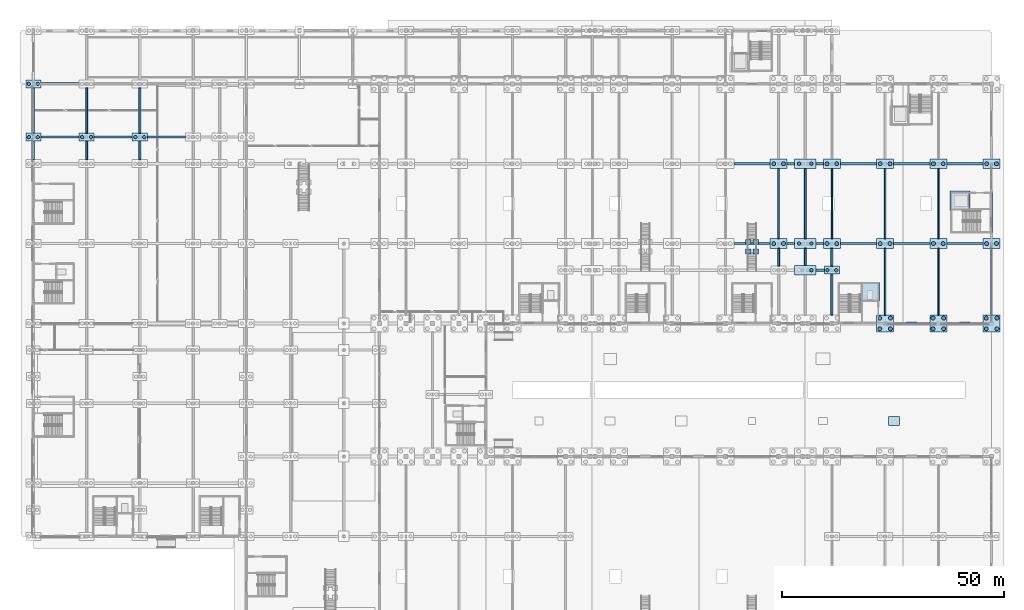
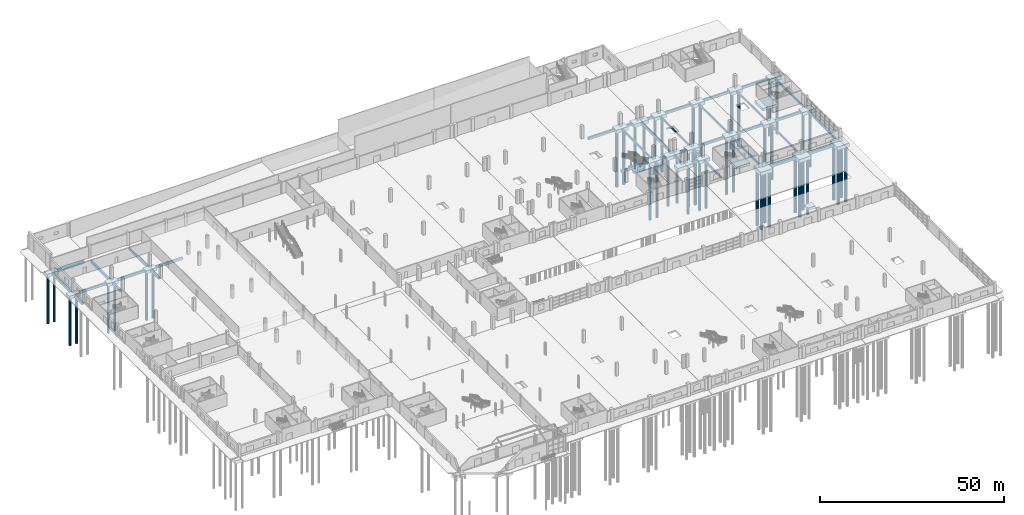
# One storey, part 7 of 77: 66 footings, 47 piles.
"""IFC4 building model written with IfcOpenShell, lengths in metres."""

from ifc_helpers import new_model, si_unit, direction, frame, origin, origin_2d, place, context, subcontext, project, spatial, rectangle, circle, extrude, material, material_profile, profile_set, type_object, element, save


model = new_model("IFC4")

# Units and contexts
model_context = context("Model", 3, precision=1e-05, world=origin(), true_north=direction((0.0, 1.0)))
body_context = subcontext(model_context, "Body", "Model", "MODEL_VIEW")
ifc_project = project(units=[si_unit("LENGTHUNIT", "METRE"), si_unit("AREAUNIT", "SQUARE_METRE"), si_unit("VOLUMEUNIT", "CUBIC_METRE"), si_unit("PLANEANGLEUNIT", "RADIAN"), si_unit("MASSUNIT", "GRAM", prefix="KILO")], contexts=[model_context])

# Site, building, storey
site_placement = place(None, origin())
site = spatial("IfcSite", under=ifc_project, at=site_placement, CompositionType="ELEMENT")
building_placement = place(site_placement, origin())
building = spatial("IfcBuilding", under=site, at=building_placement, Name="Zilviju Railside Exhibition Hall", CompositionType="ELEMENT")
storey_placement = place(building_placement, origin())
storey = spatial("IfcBuildingStorey", under=building, at=storey_placement, Name="L01", CompositionType="ELEMENT", Elevation=0.0)

# Footings
ifc_material_1 = material(Name="Concrete C35/45", Category="concrete")
footing_type_1 = type_object("IfcFootingType", Name="CAP-PC-01", PredefinedType="PILE_CAP", material=ifc_material_1)
for number, where, z_axis, x_axis, name in (
    (1, (192.0, 84.0, -1.60009765625), (0.0, 0.0, 1.0), (1.0, 0.0, 0.0), "Pile Cap FND-CAP-130"),
    (2, (204.0, 84.0, -1.60009765625), (0.0, 0.0, 1.0), (1.0, 0.0, 0.0), "Pile Cap FND-CAP-131"),
    (3, (216.0, 84.0, -1.60009765625), (0.0, 0.0, 1.0), (1.0, 0.0, 0.0), "Pile Cap FND-CAP-132"),
):
    element("IfcFooting", number, at=place(storey_placement, frame(where, z_axis=z_axis, x_axis=x_axis)), inside=storey, type_object=footing_type_1, Name=name, PredefinedType="PILE_CAP", context=body_context, shape_type="SweptSolid", body=[
        extrude(rectangle(XDim=3.800048828125, YDim=3.800048828125, at=origin_2d()), origin(), (0.0, 0.0, 1.0), 1.199951171875),
    ])
footing_type_2 = type_object("IfcFootingType", Name="CAP-PC-02", PredefinedType="PILE_CAP", material=ifc_material_1)
for number, where, z_axis, x_axis, name in (
    (4, (168.0, 102.0, -1.550048828125), (0.0, 0.0, 1.0), (1.0, 0.0, 0.0), "Pile Cap FND-CAP-158"),
    (5, (180.0, 102.0, -1.550048828125), (0.0, 0.0, 1.0), (1.0, 0.0, 0.0), "Pile Cap FND-CAP-160"),
    (6, (192.0, 102.0, -1.550048828125), (0.0, 0.0, 1.0), (1.0, 0.0, 0.0), "Pile Cap FND-CAP-161"),
    (7, (204.0, 102.0, -1.550048828125), (0.0, 0.0, 1.0), (1.0, 0.0, 0.0), "Pile Cap FND-CAP-162"),
    (8, (216.0, 102.0, -1.550048828125), (0.0, 0.0, 1.0), (1.0, 0.0, 0.0), "Pile Cap FND-CAP-163"),
    (9, (168.0, 120.0, -1.550048828125), (0.0, 0.0, 1.0), (1.0, 0.0, 0.0), "Pile Cap FND-CAP-181"),
    (10, (180.0, 120.0, -1.550048828125), (0.0, 0.0, 1.0), (1.0, 0.0, 0.0), "Pile Cap FND-CAP-183"),
    (11, (192.0, 120.0, -1.550048828125), (0.0, 0.0, 1.0), (1.0, 0.0, 0.0), "Pile Cap FND-CAP-184"),
    (12, (204.0, 120.0, -1.550048828125), (0.0, 0.0, 1.0), (1.0, 0.0, 0.0), "Pile Cap FND-CAP-185"),
    (13, (216.0, 120.0, -1.550048828125), (0.0, 0.0, 1.0), (1.0, 0.0, 0.0), "Pile Cap FND-CAP-186"),
):
    element("IfcFooting", number, at=place(storey_placement, frame(where, z_axis=z_axis, x_axis=x_axis)), inside=storey, type_object=footing_type_2, Name=name, PredefinedType="PILE_CAP", context=body_context, shape_type="SweptSolid", body=[
        extrude(rectangle(XDim=3.800048828125, YDim=2.199951171875, at=origin_2d()), origin(), (0.0, 0.0, 1.0), 1.14990234375),
    ])
footing_type_3 = type_object("IfcFootingType", Name="CAP-PC-03", PredefinedType="PILE_CAP", material=ifc_material_1)
for number, where, z_axis, x_axis, name in (
    (14, (180.0, 96.0, -1.4501953125), (0.0, 0.0, 1.0), (1.0, 0.0, 0.0), "Pile Cap FND-CAP-140"),
    (15, (0.0, 126.0, -1.4501953125), (0.0, 0.0, 1.0), (1.0, 0.0, 0.0), "Pile Cap FND-CAP-187"),
    (16, (12.0, 126.0, -1.4501953125), (0.0, 0.0, 1.0), (1.0, 0.0, 0.0), "Pile Cap FND-CAP-188"),
    (17, (24.0, 126.0, -1.4501953125), (0.0, 0.0, 1.0), (1.0, 0.0, 0.0), "Pile Cap FND-CAP-189"),
    (18, (0.0, 138.0, -1.4501953125), (0.0, 0.0, 1.0), (1.0, 0.0, 0.0), "Pile Cap FND-CAP-193"),
):
    element("IfcFooting", number, at=place(storey_placement, frame(where, z_axis=z_axis, x_axis=x_axis)), inside=storey, type_object=footing_type_3, Name=name, PredefinedType="PILE_CAP", context=body_context, shape_type="SweptSolid", body=[
        extrude(rectangle(XDim=3.39990234375, YDim=1.800048828125, at=origin_2d()), origin(), (0.0, 0.0, 1.0), 1.050048828125),
    ])
footing_type_4 = type_object("IfcFootingType", Name="CAP-PC-07", PredefinedType="PILE_CAP", material=ifc_material_1)
for number, where, z_axis, x_axis, name in (
    (19, (174.0, 96.0, -1.550048828125), (0.0, 0.0, 1.0), (1.0, 0.0, 0.0), "Combined Pile Cap FND-CAP-139"),
    (20, (174.0, 102.0, -1.550048828125), (0.0, 0.0, 1.0), (1.0, 0.0, 0.0), "Combined Pile Cap FND-CAP-159"),
    (21, (174.0, 120.0, -1.550048828125), (0.0, 0.0, 1.0), (1.0, 0.0, 0.0), "Combined Pile Cap FND-CAP-182"),
):
    element("IfcFooting", number, at=place(storey_placement, frame(where, z_axis=z_axis, x_axis=x_axis)), inside=storey, type_object=footing_type_4, Name=name, PredefinedType="PILE_CAP", context=body_context, shape_type="SweptSolid", body=[
        extrude(rectangle(XDim=4.800048828125, YDim=2.199951171875, at=origin_2d()), origin(), (0.0, 0.0, 1.0), 1.14990234375),
    ])
ifc_material_profile_1 = material_profile(ifc_material_1, rectangle(XDim=0.60009765625, YDim=0.89990234375, at=origin_2d()), Name="TIE BEAM 600x900")
ifc_profile_set_1 = profile_set([ifc_material_profile_1], Name="Concrete C35/45")
footing_type_5 = type_object("IfcFootingType", Name="GB-GB-01", PredefinedType="FOOTING_BEAM", material=ifc_profile_set_1)
for number, where, z_axis, x_axis, name in (
    (22, (193.89990234375, 84.0, -0.85009765625), (1.0, 0.0, 0.0), (0.0, 1.0, 0.0), "Ground Tie Beam GB-0112"),
    (23, (205.89990234375, 84.0, -0.85009765625), (1.0, 0.0, 0.0), (0.0, 1.0, 0.0), "Ground Tie Beam GB-0113"),
):
    element("IfcFooting", number, at=place(storey_placement, frame(where, z_axis=z_axis, x_axis=x_axis)), inside=storey, type_object=footing_type_5, Name=name, PredefinedType="FOOTING_BEAM", context=body_context, shape_type="SweptSolid", body=[
        extrude(rectangle(XDim=0.60009765625, YDim=0.89990234375, at=origin_2d()), origin(), (0.0, 0.0, 1.0), 8.2001953125),
    ])
footing_1_placement = place(storey_placement, frame((1.699951171875, 138.0, -0.85009765625), z_axis=(1.0, 0.0, 0.0), x_axis=(0.0, 1.0, 0.0)))
element("IfcFooting", 24, at=footing_1_placement, inside=storey, type_object=footing_type_5, Name="Ground Tie Beam GB-0170", PredefinedType="FOOTING_BEAM", context=body_context, shape_type="SweptSolid", body=[
    extrude(rectangle(XDim=0.60009765625, YDim=0.89990234375, at=origin_2d()), origin(), (0.0, 0.0, 1.0), 8.60009765625),
])
ifc_material_profile_2 = material_profile(ifc_material_1, rectangle(XDim=0.5, YDim=0.85009765625, at=origin_2d()), Name="TIE BEAM 500x850")
ifc_profile_set_2 = profile_set([ifc_material_profile_2], Name="Concrete C35/45")
footing_type_6 = type_object("IfcFootingType", Name="GB-GB-02", PredefinedType="FOOTING_BEAM", material=ifc_profile_set_2)
footing_2_placement = place(storey_placement, frame((176.39990234375, 96.0, -0.824951171875), z_axis=(1.0, 0.0, 0.0), x_axis=(0.0, 1.0, 0.0)))
element("IfcFooting", 25, at=footing_2_placement, inside=storey, type_object=footing_type_6, Name="Ground Tie Beam GB-0120", PredefinedType="FOOTING_BEAM", context=body_context, shape_type="SweptSolid", body=[
    extrude(rectangle(XDim=0.5, YDim=0.85009765625, at=origin_2d()), origin(), (0.0, 0.0, 1.0), 1.900146484375),
])
footing_3_placement = place(storey_placement, frame((157.89990234375, 102.0, -0.824951171875), z_axis=(1.0, 0.0, 0.0), x_axis=(0.0, 1.0, 0.0)))
element("IfcFooting", 26, at=footing_3_placement, inside=storey, type_object=footing_type_6, Name="Ground Tie Beam GB-0137", PredefinedType="FOOTING_BEAM", context=body_context, shape_type="SweptSolid", body=[
    extrude(rectangle(XDim=0.5, YDim=0.85009765625, at=origin_2d()), origin(), (0.0, 0.0, 1.0), 8.2001953125),
])
for number, where, z_axis, x_axis, name in (
    (27, (169.89990234375, 102.0, -0.824951171875), (1.0, 0.0, 0.0), (0.0, 1.0, 0.0), "Ground Tie Beam GB-0138"),
    (28, (176.39990234375, 102.0, -0.824951171875), (1.0, 0.0, 0.0), (0.0, 1.0, 0.0), "Ground Tie Beam GB-0139"),
):
    element("IfcFooting", number, at=place(storey_placement, frame(where, z_axis=z_axis, x_axis=x_axis)), inside=storey, type_object=footing_type_6, Name=name, PredefinedType="FOOTING_BEAM", context=body_context, shape_type="SweptSolid", body=[
        extrude(rectangle(XDim=0.5, YDim=0.85009765625, at=origin_2d()), origin(), (0.0, 0.0, 1.0), 1.7001953125),
    ])
for number, where, z_axis, x_axis, name in (
    (29, (181.89990234375, 102.0, -0.824951171875), (1.0, 0.0, 0.0), (0.0, 1.0, 0.0), "Ground Tie Beam GB-0140"),
    (30, (193.89990234375, 102.0, -0.824951171875), (1.0, 0.0, 0.0), (0.0, 1.0, 0.0), "Ground Tie Beam GB-0141"),
    (31, (205.89990234375, 102.0, -0.824951171875), (1.0, 0.0, 0.0), (0.0, 1.0, 0.0), "Ground Tie Beam GB-0142"),
    (32, (157.89990234375, 120.0, -0.824951171875), (1.0, 0.0, 0.0), (0.0, 1.0, 0.0), "Ground Tie Beam GB-0159"),
):
    element("IfcFooting", number, at=place(storey_placement, frame(where, z_axis=z_axis, x_axis=x_axis)), inside=storey, type_object=footing_type_6, Name=name, PredefinedType="FOOTING_BEAM", context=body_context, shape_type="SweptSolid", body=[
        extrude(rectangle(XDim=0.5, YDim=0.85009765625, at=origin_2d()), origin(), (0.0, 0.0, 1.0), 8.2001953125),
    ])
for number, where, z_axis, x_axis, name in (
    (33, (169.89990234375, 120.0, -0.824951171875), (1.0, 0.0, 0.0), (0.0, 1.0, 0.0), "Ground Tie Beam GB-0160"),
    (34, (176.39990234375, 120.0, -0.824951171875), (1.0, 0.0, 0.0), (0.0, 1.0, 0.0), "Ground Tie Beam GB-0161"),
):
    element("IfcFooting", number, at=place(storey_placement, frame(where, z_axis=z_axis, x_axis=x_axis)), inside=storey, type_object=footing_type_6, Name=name, PredefinedType="FOOTING_BEAM", context=body_context, shape_type="SweptSolid", body=[
        extrude(rectangle(XDim=0.5, YDim=0.85009765625, at=origin_2d()), origin(), (0.0, 0.0, 1.0), 1.7001953125),
    ])
for number, where, z_axis, x_axis, name in (
    (35, (181.89990234375, 120.0, -0.824951171875), (1.0, 0.0, 0.0), (0.0, 1.0, 0.0), "Ground Tie Beam GB-0162"),
    (36, (193.89990234375, 120.0, -0.824951171875), (1.0, 0.0, 0.0), (0.0, 1.0, 0.0), "Ground Tie Beam GB-0163"),
    (37, (205.89990234375, 120.0, -0.824951171875), (1.0, 0.0, 0.0), (0.0, 1.0, 0.0), "Ground Tie Beam GB-0164"),
):
    element("IfcFooting", number, at=place(storey_placement, frame(where, z_axis=z_axis, x_axis=x_axis)), inside=storey, type_object=footing_type_6, Name=name, PredefinedType="FOOTING_BEAM", context=body_context, shape_type="SweptSolid", body=[
        extrude(rectangle(XDim=0.5, YDim=0.85009765625, at=origin_2d()), origin(), (0.0, 0.0, 1.0), 8.2001953125),
    ])
for number, where, z_axis, x_axis, name in (
    (38, (1.699951171875, 126.0, -0.824951171875), (1.0, 0.0, 0.0), (0.0, 1.0, 0.0), "Ground Tie Beam GB-0165"),
    (39, (13.699951171875, 126.0, -0.824951171875), (1.0, 0.0, 0.0), (0.0, 1.0, 0.0), "Ground Tie Beam GB-0166"),
    (40, (25.699951171875, 126.0, -0.824951171875), (1.0, 0.0, 0.0), (0.0, 1.0, 0.0), "Ground Tie Beam GB-0167"),
):
    element("IfcFooting", number, at=place(storey_placement, frame(where, z_axis=z_axis, x_axis=x_axis)), inside=storey, type_object=footing_type_6, Name=name, PredefinedType="FOOTING_BEAM", context=body_context, shape_type="SweptSolid", body=[
        extrude(rectangle(XDim=0.5, YDim=0.85009765625, at=origin_2d()), origin(), (0.0, 0.0, 1.0), 8.60009765625),
    ])
ifc_material_profile_3 = material_profile(ifc_material_1, rectangle(XDim=0.449951171875, YDim=0.800048828125, at=origin_2d()), Name="TIE BEAM 450x800")
ifc_profile_set_3 = profile_set([ifc_material_profile_3], Name="Concrete C35/45")
footing_type_7 = type_object("IfcFootingType", Name="GB-GB-03", PredefinedType="FOOTING_BEAM", material=ifc_profile_set_3)
footing_4_placement = place(storey_placement, frame((0.0, 120.89990234375, -0.800048828125), z_axis=(0.0, 1.0, 0.0), x_axis=(-1.0, 0.0, 0.0)))
element("IfcFooting", 41, at=footing_4_placement, inside=storey, type_object=footing_type_7, Name="Ground Tie Beam GB-0217", PredefinedType="FOOTING_BEAM", context=body_context, shape_type="SweptSolid", body=[
    extrude(rectangle(XDim=0.449951171875, YDim=0.800048828125, at=origin_2d()), origin(), (0.0, 0.0, 1.0), 4.2001953125),
])
footing_5_placement = place(storey_placement, frame((0.0, 126.89990234375, -0.800048828125), z_axis=(0.0, 1.0, 0.0), x_axis=(-1.0, 0.0, 0.0)))
element("IfcFooting", 42, at=footing_5_placement, inside=storey, type_object=footing_type_7, Name="Ground Tie Beam GB-0218", PredefinedType="FOOTING_BEAM", context=body_context, shape_type="SweptSolid", body=[
    extrude(rectangle(XDim=0.449951171875, YDim=0.800048828125, at=origin_2d()), origin(), (0.0, 0.0, 1.0), 10.2001953125),
])
footing_6_placement = place(storey_placement, frame((12.0, 120.89990234375, -0.800048828125), z_axis=(0.0, 1.0, 0.0), x_axis=(-1.0, 0.0, 0.0)))
element("IfcFooting", 43, at=footing_6_placement, inside=storey, type_object=footing_type_7, Name="Ground Tie Beam GB-0226", PredefinedType="FOOTING_BEAM", context=body_context, shape_type="SweptSolid", body=[
    extrude(rectangle(XDim=0.449951171875, YDim=0.800048828125, at=origin_2d()), origin(), (0.0, 0.0, 1.0), 4.2001953125),
])
footing_7_placement = place(storey_placement, frame((12.0, 126.89990234375, -0.800048828125), z_axis=(0.0, 1.0, 0.0), x_axis=(-1.0, 0.0, 0.0)))
element("IfcFooting", 44, at=footing_7_placement, inside=storey, type_object=footing_type_7, Name="Ground Tie Beam GB-0227", PredefinedType="FOOTING_BEAM", context=body_context, shape_type="SweptSolid", body=[
    extrude(rectangle(XDim=0.449951171875, YDim=0.800048828125, at=origin_2d()), origin(), (0.0, 0.0, 1.0), 10.2001953125),
])
footing_8_placement = place(storey_placement, frame((24.0, 120.89990234375, -0.800048828125), z_axis=(0.0, 1.0, 0.0), x_axis=(-1.0, 0.0, 0.0)))
element("IfcFooting", 45, at=footing_8_placement, inside=storey, type_object=footing_type_7, Name="Ground Tie Beam GB-0237", PredefinedType="FOOTING_BEAM", context=body_context, shape_type="SweptSolid", body=[
    extrude(rectangle(XDim=0.449951171875, YDim=0.800048828125, at=origin_2d()), origin(), (0.0, 0.0, 1.0), 4.2001953125),
])
footing_9_placement = place(storey_placement, frame((24.0, 126.89990234375, -0.800048828125), z_axis=(0.0, 1.0, 0.0), x_axis=(-1.0, 0.0, 0.0)))
element("IfcFooting", 46, at=footing_9_placement, inside=storey, type_object=footing_type_7, Name="Ground Tie Beam GB-0238", PredefinedType="FOOTING_BEAM", context=body_context, shape_type="SweptSolid", body=[
    extrude(rectangle(XDim=0.449951171875, YDim=0.800048828125, at=origin_2d()), origin(), (0.0, 0.0, 1.0), 10.2001953125),
])
ifc_material_profile_4 = material_profile(ifc_material_1, rectangle(XDim=0.39990234375, YDim=0.75, at=origin_2d()), Name="TIE BEAM 400x750")
ifc_profile_set_4 = profile_set([ifc_material_profile_4], Name="Concrete C35/45")
footing_type_8 = type_object("IfcFootingType", Name="GB-GB-04", PredefinedType="FOOTING_BEAM", material=ifc_profile_set_4)
footing_10_placement = place(storey_placement, frame((168.0, 96.89990234375, -0.77490234375), z_axis=(0.0, 1.0, 0.0), x_axis=(-1.0, 0.0, 0.0)))
element("IfcFooting", 47, at=footing_10_placement, inside=storey, type_object=footing_type_8, Name="Ground Tie Beam GB-0352", PredefinedType="FOOTING_BEAM", context=body_context, shape_type="SweptSolid", body=[
    extrude(rectangle(XDim=0.39990234375, YDim=0.75, at=origin_2d()), origin(), (0.0, 0.0, 1.0), 4.0),
])
footing_11_placement = place(storey_placement, frame((174.0, 97.10009765625, -0.77490234375), z_axis=(0.0, 1.0, 0.0), x_axis=(-1.0, 0.0, 0.0)))
element("IfcFooting", 48, at=footing_11_placement, inside=storey, type_object=footing_type_8, Name="Ground Tie Beam GB-0358", PredefinedType="FOOTING_BEAM", context=body_context, shape_type="SweptSolid", body=[
    extrude(rectangle(XDim=0.39990234375, YDim=0.75, at=origin_2d()), origin(), (0.0, 0.0, 1.0), 3.7998046875),
])
footing_12_placement = place(storey_placement, frame((180.0, 85.89990234375, -0.77490234375), z_axis=(0.0, 1.0, 0.0), x_axis=(-1.0, 0.0, 0.0)))
element("IfcFooting", 49, at=footing_12_placement, inside=storey, type_object=footing_type_8, Name="Ground Tie Beam GB-0366", PredefinedType="FOOTING_BEAM", context=body_context, shape_type="SweptSolid", body=[
    extrude(rectangle(XDim=0.39990234375, YDim=0.75, at=origin_2d()), origin(), (0.0, 0.0, 1.0), 9.2001953125),
])
footing_13_placement = place(storey_placement, frame((180.0, 96.89990234375, -0.77490234375), z_axis=(0.0, 1.0, 0.0), x_axis=(-1.0, 0.0, 0.0)))
element("IfcFooting", 50, at=footing_13_placement, inside=storey, type_object=footing_type_8, Name="Ground Tie Beam GB-0367", PredefinedType="FOOTING_BEAM", context=body_context, shape_type="SweptSolid", body=[
    extrude(rectangle(XDim=0.39990234375, YDim=0.75, at=origin_2d()), origin(), (0.0, 0.0, 1.0), 4.0),
])
ifc_material_profile_5 = material_profile(ifc_material_1, rectangle(XDim=0.35009765625, YDim=0.64990234375, at=origin_2d()), Name="TIE BEAM 350x650")
ifc_profile_set_5 = profile_set([ifc_material_profile_5], Name="Concrete C35/45")
footing_type_9 = type_object("IfcFootingType", Name="GB-GB-06", PredefinedType="FOOTING_BEAM", material=ifc_profile_set_5)
for number, where, z_axis, x_axis, name in (
    (51, (168.0, 103.10009765625, -0.72509765625), (0.0, 1.0, 0.0), (-1.0, 0.0, 0.0), "Ground Tie Beam GB-0353"),
    (52, (174.0, 103.10009765625, -0.72509765625), (0.0, 1.0, 0.0), (-1.0, 0.0, 0.0), "Ground Tie Beam GB-0359"),
    (53, (180.0, 103.10009765625, -0.72509765625), (0.0, 1.0, 0.0), (-1.0, 0.0, 0.0), "Ground Tie Beam GB-0368"),
):
    element("IfcFooting", number, at=place(storey_placement, frame(where, z_axis=z_axis, x_axis=x_axis)), inside=storey, type_object=footing_type_9, Name=name, PredefinedType="FOOTING_BEAM", context=body_context, shape_type="SweptSolid", body=[
        extrude(rectangle(XDim=0.35009765625, YDim=0.64990234375, at=origin_2d()), origin(), (0.0, 0.0, 1.0), 15.7998046875),
    ])
footing_14_placement = place(storey_placement, frame((192.0, 85.89990234375, -0.72509765625), z_axis=(0.0, 1.0, 0.0), x_axis=(-1.0, 0.0, 0.0)))
element("IfcFooting", 54, at=footing_14_placement, inside=storey, type_object=footing_type_9, Name="Ground Tie Beam GB-0374", PredefinedType="FOOTING_BEAM", context=body_context, shape_type="SweptSolid", body=[
    extrude(rectangle(XDim=0.35009765625, YDim=0.64990234375, at=origin_2d()), origin(), (0.0, 0.0, 1.0), 15.0),
])
footing_15_placement = place(storey_placement, frame((192.0, 103.10009765625, -0.72509765625), z_axis=(0.0, 1.0, 0.0), x_axis=(-1.0, 0.0, 0.0)))
element("IfcFooting", 55, at=footing_15_placement, inside=storey, type_object=footing_type_9, Name="Ground Tie Beam GB-0375", PredefinedType="FOOTING_BEAM", context=body_context, shape_type="SweptSolid", body=[
    extrude(rectangle(XDim=0.35009765625, YDim=0.64990234375, at=origin_2d()), origin(), (0.0, 0.0, 1.0), 15.7998046875),
])
footing_16_placement = place(storey_placement, frame((204.0, 85.89990234375, -0.72509765625), z_axis=(0.0, 1.0, 0.0), x_axis=(-1.0, 0.0, 0.0)))
element("IfcFooting", 56, at=footing_16_placement, inside=storey, type_object=footing_type_9, Name="Ground Tie Beam GB-0380", PredefinedType="FOOTING_BEAM", context=body_context, shape_type="SweptSolid", body=[
    extrude(rectangle(XDim=0.35009765625, YDim=0.64990234375, at=origin_2d()), origin(), (0.0, 0.0, 1.0), 15.0),
])
footing_17_placement = place(storey_placement, frame((204.0, 103.10009765625, -0.72509765625), z_axis=(0.0, 1.0, 0.0), x_axis=(-1.0, 0.0, 0.0)))
element("IfcFooting", 57, at=footing_17_placement, inside=storey, type_object=footing_type_9, Name="Ground Tie Beam GB-0381", PredefinedType="FOOTING_BEAM", context=body_context, shape_type="SweptSolid", body=[
    extrude(rectangle(XDim=0.35009765625, YDim=0.64990234375, at=origin_2d()), origin(), (0.0, 0.0, 1.0), 15.7998046875),
])
footing_18_placement = place(storey_placement, frame((216.0, 85.89990234375, -0.72509765625), z_axis=(0.0, 1.0, 0.0), x_axis=(-1.0, 0.0, 0.0)))
element("IfcFooting", 58, at=footing_18_placement, inside=storey, type_object=footing_type_9, Name="Ground Tie Beam GB-0386", PredefinedType="FOOTING_BEAM", context=body_context, shape_type="SweptSolid", body=[
    extrude(rectangle(XDim=0.35009765625, YDim=0.64990234375, at=origin_2d()), origin(), (0.0, 0.0, 1.0), 15.0),
])
footing_19_placement = place(storey_placement, frame((216.0, 103.10009765625, -0.72509765625), z_axis=(0.0, 1.0, 0.0), x_axis=(-1.0, 0.0, 0.0)))
element("IfcFooting", 59, at=footing_19_placement, inside=storey, type_object=footing_type_9, Name="Ground Tie Beam GB-0387", PredefinedType="FOOTING_BEAM", context=body_context, shape_type="SweptSolid", body=[
    extrude(rectangle(XDim=0.35009765625, YDim=0.64990234375, at=origin_2d()), origin(), (0.0, 0.0, 1.0), 15.7998046875),
])
ifc_material_2 = material(Name="Concrete C40/50", Category="concrete")
footing_type_10 = type_object("IfcFootingType", Name="PAD-PF-01", PredefinedType="PAD_FOOTING", material=ifc_material_2)
footing_20_placement = place(storey_placement, frame((188.625, 91.125, -2.39990234375), z_axis=(0.0, 0.0, 1.0), x_axis=(1.0, 0.0, 0.0)))
element("IfcFooting", 60, at=footing_20_placement, inside=storey, type_object=footing_type_10, Name="Lift Pit Foundation Pad LP-03", PredefinedType="PAD_FOOTING", context=body_context, shape_type="SweptSolid", body=[
    extrude(rectangle(XDim=4.199951171875, YDim=4.199951171875, at=origin_2d()), origin(), (0.0, 0.0, 1.0), 0.800048828125),
])
footing_type_11 = type_object("IfcFootingType", Name="PAD-PF-02", PredefinedType="PAD_FOOTING", material=ifc_material_2)
footing_21_placement = place(storey_placement, frame((208.875, 111.625, -2.449951171875), z_axis=(0.0, 0.0, 1.0), x_axis=(1.0, 0.0, 0.0)))
element("IfcFooting", 61, at=footing_21_placement, inside=storey, type_object=footing_type_11, Name="Lift Pit Foundation Pad LF-03", PredefinedType="PAD_FOOTING", context=body_context, shape_type="SweptSolid", body=[
    extrude(rectangle(XDim=4.60009765625, YDim=4.39990234375, at=origin_2d()), origin(), (0.0, 0.0, 1.0), 0.85009765625),
])
footing_type_12 = type_object("IfcFootingType", Name="PAD-PF-08", PredefinedType="PAD_FOOTING", material=ifc_material_1)
footing_22_placement = place(storey_placement, frame((194.0, 62.0, -1.2001953125), z_axis=(0.0, 0.0, 1.0), x_axis=(1.0, 0.0, 0.0)))
element("IfcFooting", 62, at=footing_22_placement, inside=storey, type_object=footing_type_12, Name="Court Plinth Pad Footing CP-06", PredefinedType="PAD_FOOTING", context=body_context, shape_type="SweptSolid", body=[
    extrude(rectangle(XDim=2.39990234375, YDim=2.0, at=origin_2d()), origin(), (0.0, 0.0, 1.0), 0.800048828125),
])
footing_type_13 = type_object("IfcFootingType", Name="PAD-PF-11", PredefinedType="PAD_FOOTING", material=ifc_material_1)
for number, where, z_axis, x_axis, name in (
    (63, (161.179931640625, 100.2099609375, -1.1201171875), (0.0, 0.0, 1.0), (1.0, 0.0, 0.0), "Feature Stair ST23 Landing Pad 1"),
    (64, (162.820068359375, 100.2099609375, -1.1201171875), (0.0, 0.0, 1.0), (1.0, 0.0, 0.0), "Feature Stair ST23 Landing Pad 2"),
    (65, (161.179931640625, 102.35009765625, -1.1201171875), (0.0, 0.0, 1.0), (1.0, 0.0, 0.0), "Feature Stair ST23 Landing Pad 3"),
    (66, (162.820068359375, 102.35009765625, -1.1201171875), (0.0, 0.0, 1.0), (1.0, 0.0, 0.0), "Feature Stair ST23 Landing Pad 4"),
):
    element("IfcFooting", number, at=place(storey_placement, frame(where, z_axis=z_axis, x_axis=x_axis)), inside=storey, type_object=footing_type_13, Name=name, PredefinedType="PAD_FOOTING", context=body_context, shape_type="SweptSolid", body=[
        extrude(rectangle(XDim=1.199951171875, YDim=1.199951171875, at=origin_2d()), origin(), (0.0, 0.0, 1.0), 0.699951171875),
    ])

# Piles
ifc_material_profile_6 = material_profile(ifc_material_1, circle(Radius=0.375, at=origin_2d()), Name="CFA PILE D750")
ifc_profile_set_6 = profile_set([ifc_material_profile_6], Name="Concrete C35/45")
pile_type_1 = type_object("IfcPileType", Name="PILE-PL-750", PredefinedType="BORED", material=ifc_profile_set_6)
for number, where, z_axis, x_axis, name in (
    (67, (175.39990234375, 96.0, -0.5), (0.0, 0.0, -1.0), (1.0, 0.0, 0.0), "Bored CFA Pile P-0365"),
    (68, (179.0, 96.0, -0.5), (0.0, 0.0, -1.0), (1.0, 0.0, 0.0), "Bored CFA Pile P-0366"),
    (69, (181.0, 96.0, -0.5), (0.0, 0.0, -1.0), (1.0, 0.0, 0.0), "Bored CFA Pile P-0367"),
    (70, (172.60009765625, 102.0, -0.5), (0.0, 0.0, -1.0), (1.0, 0.0, 0.0), "Bored CFA Pile P-0403"),
    (71, (175.39990234375, 102.0, -0.5), (0.0, 0.0, -1.0), (1.0, 0.0, 0.0), "Bored CFA Pile P-0404"),
    (72, (172.60009765625, 120.0, -0.5), (0.0, 0.0, -1.0), (1.0, 0.0, 0.0), "Bored CFA Pile P-0449"),
    (73, (175.39990234375, 120.0, -0.5), (0.0, 0.0, -1.0), (1.0, 0.0, 0.0), "Bored CFA Pile P-0450"),
    (74, (-1.0, 126.0, -0.5), (0.0, 0.0, -1.0), (1.0, 0.0, 0.0), "Bored CFA Pile P-0459"),
    (75, (1.0, 126.0, -0.5), (0.0, 0.0, -1.0), (1.0, 0.0, 0.0), "Bored CFA Pile P-0460"),
    (76, (11.0, 126.0, -0.5), (0.0, 0.0, -1.0), (1.0, 0.0, 0.0), "Bored CFA Pile P-0461"),
    (77, (13.0, 126.0, -0.5), (0.0, 0.0, -1.0), (1.0, 0.0, 0.0), "Bored CFA Pile P-0462"),
    (78, (23.0, 126.0, -0.5), (0.0, 0.0, -1.0), (1.0, 0.0, 0.0), "Bored CFA Pile P-0463"),
    (79, (25.0, 126.0, -0.5), (0.0, 0.0, -1.0), (1.0, 0.0, 0.0), "Bored CFA Pile P-0464"),
    (80, (-1.0, 138.0, -0.5), (0.0, 0.0, -1.0), (1.0, 0.0, 0.0), "Bored CFA Pile P-0471"),
    (81, (1.0, 138.0, -0.5), (0.0, 0.0, -1.0), (1.0, 0.0, 0.0), "Bored CFA Pile P-0472"),
):
    element("IfcPile", number, at=place(storey_placement, frame(where, z_axis=z_axis, x_axis=x_axis)), inside=storey, type_object=pile_type_1, Name=name, PredefinedType="BORED", context=body_context, shape_type="SweptSolid", body=[
        extrude(circle(Radius=0.375, at=origin_2d()), origin(), (0.0, 0.0, 1.0), 16.89990234375),
    ])
ifc_material_profile_7 = material_profile(ifc_material_1, circle(Radius=0.449951171875, at=origin_2d()), Name="CFA PILE D900")
ifc_profile_set_7 = profile_set([ifc_material_profile_7], Name="Concrete C35/45")
pile_type_2 = type_object("IfcPileType", Name="PILE-PL-900", PredefinedType="BORED", material=ifc_profile_set_7)
for number, where, z_axis, x_axis, name in (
    (82, (190.800048828125, 82.800048828125, -0.5), (0.0, 0.0, -1.0), (1.0, 0.0, 0.0), "Bored CFA Pile P-0340"),
    (83, (193.199951171875, 82.800048828125, -0.5), (0.0, 0.0, -1.0), (1.0, 0.0, 0.0), "Bored CFA Pile P-0341"),
    (84, (190.800048828125, 85.199951171875, -0.5), (0.0, 0.0, -1.0), (1.0, 0.0, 0.0), "Bored CFA Pile P-0342"),
    (85, (193.199951171875, 85.199951171875, -0.5), (0.0, 0.0, -1.0), (1.0, 0.0, 0.0), "Bored CFA Pile P-0343"),
    (86, (202.800048828125, 82.800048828125, -0.5), (0.0, 0.0, -1.0), (1.0, 0.0, 0.0), "Bored CFA Pile P-0344"),
    (87, (205.199951171875, 82.800048828125, -0.5), (0.0, 0.0, -1.0), (1.0, 0.0, 0.0), "Bored CFA Pile P-0345"),
    (88, (202.800048828125, 85.199951171875, -0.5), (0.0, 0.0, -1.0), (1.0, 0.0, 0.0), "Bored CFA Pile P-0346"),
    (89, (205.199951171875, 85.199951171875, -0.5), (0.0, 0.0, -1.0), (1.0, 0.0, 0.0), "Bored CFA Pile P-0347"),
    (90, (214.800048828125, 82.800048828125, -0.5), (0.0, 0.0, -1.0), (1.0, 0.0, 0.0), "Bored CFA Pile P-0348"),
    (91, (217.199951171875, 82.800048828125, -0.5), (0.0, 0.0, -1.0), (1.0, 0.0, 0.0), "Bored CFA Pile P-0349"),
    (92, (214.800048828125, 85.199951171875, -0.5), (0.0, 0.0, -1.0), (1.0, 0.0, 0.0), "Bored CFA Pile P-0350"),
    (93, (217.199951171875, 85.199951171875, -0.5), (0.0, 0.0, -1.0), (1.0, 0.0, 0.0), "Bored CFA Pile P-0351"),
    (94, (166.89990234375, 102.0, -0.5), (0.0, 0.0, -1.0), (1.0, 0.0, 0.0), "Bored CFA Pile P-0401"),
    (95, (169.10009765625, 102.0, -0.5), (0.0, 0.0, -1.0), (1.0, 0.0, 0.0), "Bored CFA Pile P-0402"),
    (96, (178.89990234375, 102.0, -0.5), (0.0, 0.0, -1.0), (1.0, 0.0, 0.0), "Bored CFA Pile P-0405"),
    (97, (181.10009765625, 102.0, -0.5), (0.0, 0.0, -1.0), (1.0, 0.0, 0.0), "Bored CFA Pile P-0406"),
    (98, (190.89990234375, 102.0, -0.5), (0.0, 0.0, -1.0), (1.0, 0.0, 0.0), "Bored CFA Pile P-0407"),
    (99, (193.10009765625, 102.0, -0.5), (0.0, 0.0, -1.0), (1.0, 0.0, 0.0), "Bored CFA Pile P-0408"),
    (100, (202.89990234375, 102.0, -0.5), (0.0, 0.0, -1.0), (1.0, 0.0, 0.0), "Bored CFA Pile P-0409"),
    (101, (205.10009765625, 102.0, -0.5), (0.0, 0.0, -1.0), (1.0, 0.0, 0.0), "Bored CFA Pile P-0410"),
    (102, (214.89990234375, 102.0, -0.5), (0.0, 0.0, -1.0), (1.0, 0.0, 0.0), "Bored CFA Pile P-0411"),
    (103, (217.10009765625, 102.0, -0.5), (0.0, 0.0, -1.0), (1.0, 0.0, 0.0), "Bored CFA Pile P-0412"),
    (104, (166.89990234375, 120.0, -0.5), (0.0, 0.0, -1.0), (1.0, 0.0, 0.0), "Bored CFA Pile P-0447"),
    (105, (169.10009765625, 120.0, -0.5), (0.0, 0.0, -1.0), (1.0, 0.0, 0.0), "Bored CFA Pile P-0448"),
    (106, (178.89990234375, 120.0, -0.5), (0.0, 0.0, -1.0), (1.0, 0.0, 0.0), "Bored CFA Pile P-0451"),
    (107, (181.10009765625, 120.0, -0.5), (0.0, 0.0, -1.0), (1.0, 0.0, 0.0), "Bored CFA Pile P-0452"),
    (108, (190.89990234375, 120.0, -0.5), (0.0, 0.0, -1.0), (1.0, 0.0, 0.0), "Bored CFA Pile P-0453"),
    (109, (193.10009765625, 120.0, -0.5), (0.0, 0.0, -1.0), (1.0, 0.0, 0.0), "Bored CFA Pile P-0454"),
    (110, (202.89990234375, 120.0, -0.5), (0.0, 0.0, -1.0), (1.0, 0.0, 0.0), "Bored CFA Pile P-0455"),
    (111, (205.10009765625, 120.0, -0.5), (0.0, 0.0, -1.0), (1.0, 0.0, 0.0), "Bored CFA Pile P-0456"),
    (112, (214.89990234375, 120.0, -0.5), (0.0, 0.0, -1.0), (1.0, 0.0, 0.0), "Bored CFA Pile P-0457"),
    (113, (217.10009765625, 120.0, -0.5), (0.0, 0.0, -1.0), (1.0, 0.0, 0.0), "Bored CFA Pile P-0458"),
):
    element("IfcPile", number, at=place(storey_placement, frame(where, z_axis=z_axis, x_axis=x_axis)), inside=storey, type_object=pile_type_2, Name=name, PredefinedType="BORED", context=body_context, shape_type="SweptSolid", body=[
        extrude(circle(Radius=0.449951171875, at=origin_2d()), origin(), (0.0, 0.0, 1.0), 19.39990234375),
    ])

save(model, "model.ifc")
